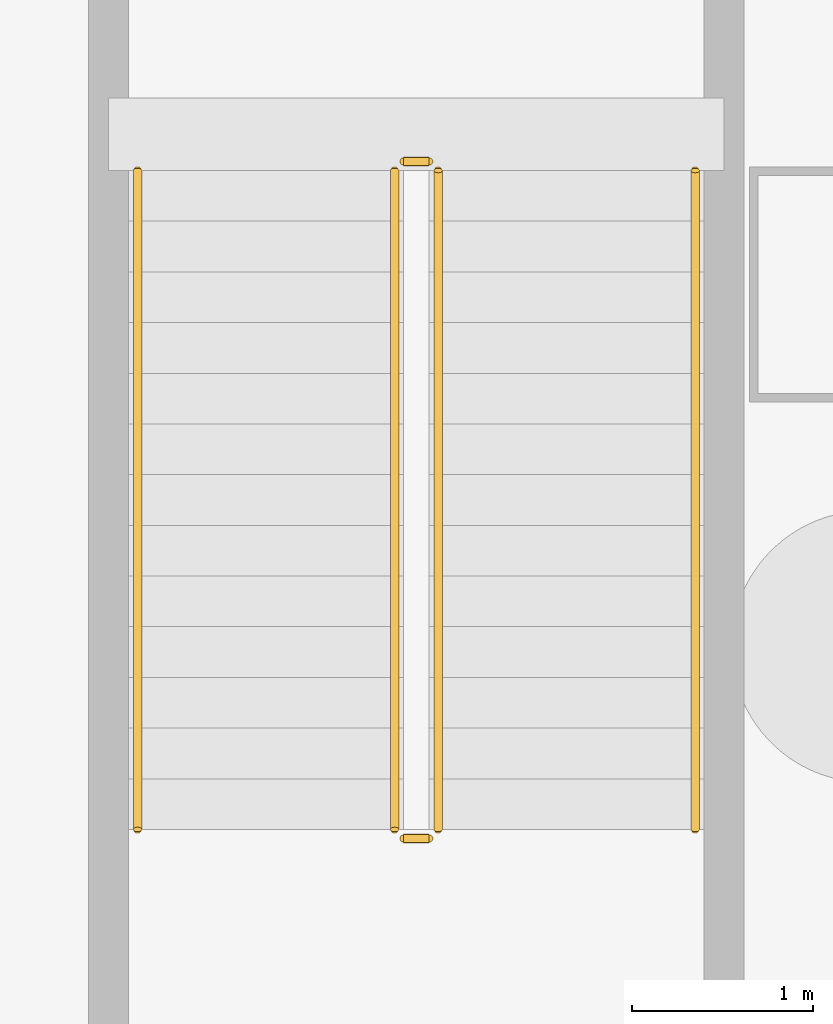
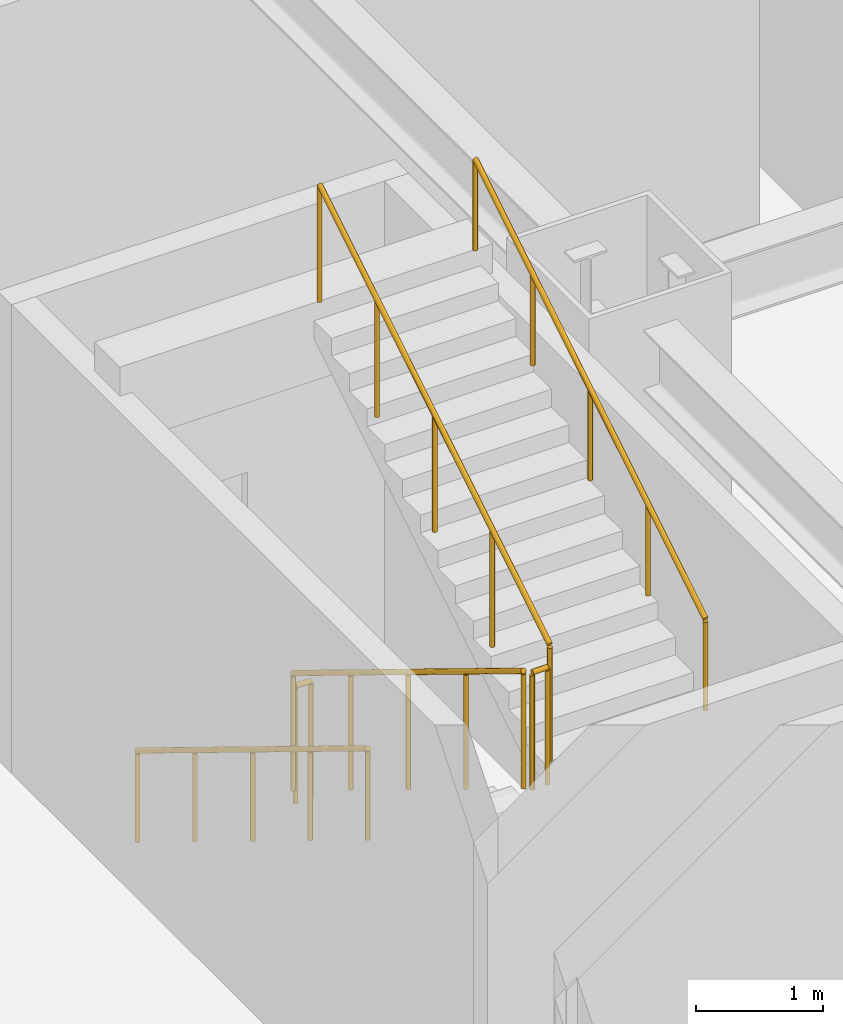
# One storey, part 14 of 15: 6 railings.
"""IFC4 building model written with IfcOpenShell, lengths in metres."""

import ifcopenshell
import ifcopenshell.guid

model = None  # the IFC model being written
_history = None  # IfcOwnerHistory: only IFC2X3 demands one
_inside = {}  # id of a spatial element -> (the spatial element, [elements in it])
_under = {}  # id of a project, library or spatial element -> (it, [spatial elements below it])
_declared = {}  # id of a project -> (the project, [libraries it declares])
_typed = {}  # id of a type object -> (the type object, [elements of that type])
_made_of = {}  # id of a material, layer set ... -> (it, [elements and type objects made of it])


def new_model(schema):
    """Start an empty IFC model of exactly this schema.

    Asked for "IFC4X3", IfcOpenShell would pick the latest addendum, in which some entities
    have other attributes; the version numbers below select the first issue.
    IFC2X3 requires an IfcOwnerHistory on every rooted entity: one is made here for all.
    """
    global model, _history
    if schema == "IFC4X3":
        model = ifcopenshell.file(schema_version=(4, 3, 0, 0))
    else:
        model = ifcopenshell.file(schema=schema)
    _inside.clear()
    _under.clear()
    _declared.clear()
    _typed.clear()
    _made_of.clear()
    _history = None
    if model.schema == "IFC2X3":
        org = make("IfcOrganization", Name="unknown")
        user = make(
            "IfcPersonAndOrganization",
            ThePerson=make("IfcPerson", FamilyName="unknown"),
            TheOrganization=org,
        )
        app = make(
            "IfcApplication",
            ApplicationDeveloper=org,
            Version="unknown",
            ApplicationFullName="unknown",
            ApplicationIdentifier="unknown",
        )
        _history = make(
            "IfcOwnerHistory",
            OwningUser=user,
            OwningApplication=app,
            ChangeAction="ADDED",
            CreationDate=0,
        )
    return model


def make(cls, **values):
    """One entity of the class cls with the attributes given. An attribute that is None is left unset."""
    return model.create_entity(
        cls, **{name: value for name, value in values.items() if value is not None}
    )


def rooted(cls, **values):
    """An entity with a GlobalId (a new one), such as an element, a storey or a relation."""
    return make(cls, GlobalId=ifcopenshell.guid.new(), OwnerHistory=_history, **values)


def si_unit(unit_type, name, prefix=None):
    """IfcSIUnit, for example si_unit("LENGTHUNIT", "METRE", prefix="MILLI")."""
    return make("IfcSIUnit", UnitType=unit_type, Prefix=prefix, Name=name)


def assignment(units):
    """IfcUnitAssignment: the units of a project."""
    return None if units is None else make("IfcUnitAssignment", Units=units)


def point(xyz):
    """IfcCartesianPoint."""
    return None if xyz is None else make("IfcCartesianPoint", Coordinates=xyz)


def direction(xyz):
    """IfcDirection."""
    return None if xyz is None else make("IfcDirection", DirectionRatios=xyz)


def frame(location, z_axis=None, x_axis=None):
    """IfcAxis2Placement3D, a coordinate frame: its origin and axes. An axis left out is left unset."""
    return make(
        "IfcAxis2Placement3D",
        Location=point(location),
        Axis=direction(z_axis),
        RefDirection=direction(x_axis),
    )


def frame_2d(location, x_axis=None):
    """IfcAxis2Placement2D, a coordinate frame in the plane: its origin and x axis."""
    return make(
        "IfcAxis2Placement2D", Location=point(location), RefDirection=direction(x_axis)
    )


def origin():
    """The frame at (0, 0, 0) with its axes left unset."""
    return frame((0.0, 0.0, 0.0))


def origin_2d():
    """The frame at (0, 0) in the plane with its x axis left unset."""
    return frame_2d((0.0, 0.0))


def place(relative_to, where):
    """IfcLocalPlacement: puts the frame where relative to a parent placement (None: the world)."""
    return make(
        "IfcLocalPlacement", PlacementRelTo=relative_to, RelativePlacement=where
    )


def context(
    kind, dimensions, precision=None, world=None, true_north=None, identifier=None
):
    """IfcGeometricRepresentationContext, for example the 3D "Model" context."""
    return make(
        "IfcGeometricRepresentationContext",
        ContextIdentifier=identifier,
        ContextType=kind,
        CoordinateSpaceDimension=dimensions,
        Precision=precision,
        WorldCoordinateSystem=world,
        TrueNorth=true_north,
    )


def subcontext(parent, identifier, kind, view, scale=None):
    """IfcGeometricRepresentationSubContext, for example "Body" below "Model"."""
    return make(
        "IfcGeometricRepresentationSubContext",
        ContextIdentifier=identifier,
        ContextType=kind,
        ParentContext=parent,
        TargetScale=scale,
        TargetView=view,
    )


def project(units=None, contexts=None):
    """IfcProject with its units and contexts."""
    return rooted(
        "IfcProject",
        Name="project",
        RepresentationContexts=contexts,
        UnitsInContext=assignment(units),
    )


def spatial(cls, under=None, at=None, **own):
    """A site, building, storey or space (cls), placed at a placement, below another one or the project."""
    s = rooted(cls, ObjectPlacement=at, **own)
    if under is not None:
        _under.setdefault(under.id(), (under, []))[1].append(s)
    return s


def profile(cls, at=None, kind="AREA", **sizes):
    """A parametric profile (cls). Its sizes go by their IFC names, for example OverallWidth=200.0."""
    return make(cls, ProfileType=kind, Position=at, **sizes)


def circle(**sizes):
    """IfcCircleProfileDef."""
    return profile("IfcCircleProfileDef", **sizes)


def extrude(swept, where, along, depth):
    """IfcExtrudedAreaSolid: the profile swept, set in the frame where, extruded along a direction by depth."""
    return make(
        "IfcExtrudedAreaSolid",
        SweptArea=swept,
        Position=where,
        ExtrudedDirection=direction(along),
        Depth=depth,
    )


def shape(context_of_items, identifier, shape_type, items):
    """IfcShapeRepresentation: the items that make up one representation, for example the "Body"."""
    return make(
        "IfcShapeRepresentation",
        ContextOfItems=context_of_items,
        RepresentationIdentifier=identifier,
        RepresentationType=shape_type,
        Items=items,
    )


def material(Name=None, Category=None):
    """IfcMaterial."""
    return make("IfcMaterial", Name=Name, Category=Category)


def made_of(thing, what):
    """Note that an element or type object is made of a material, layer set ...; save() writes the relation."""
    if what is not None:
        _made_of.setdefault(what.id(), (what, []))[1].append(thing)
    return thing


def type_object(cls, material=None, **own):
    """A type object (cls), such as IfcWallType, which elements share."""
    return made_of(rooted(cls, **own), material)


def element(
    cls,
    number,
    at=None,
    inside=None,
    cuts=None,
    type_object=None,
    material=None,
    context=None,
    identifier="Body",
    shape_type=None,
    held_by="IfcProductDefinitionShape",
    body=None,
    shapes=None,
    **own,
):
    """One element of the class cls, such as IfcWall. Its Tag is "e" and its number.

    at: its placement. inside: the storey or other place that contains it. cuts: it is an
    opening in that element (IfcRelVoidsElement). A single representation is given by context,
    identifier, shape_type and body (its items); several are given by shapes. held_by: the class
    of the entity that holds the representations. save() writes the other relations.
    """
    e = rooted(cls, Tag="e%d" % number, ObjectPlacement=at, **own)
    if body is not None:
        shapes = [shape(context, identifier, shape_type, body)]
    if shapes is not None:
        e.Representation = make(held_by, Representations=shapes)
    if inside is not None:
        _inside.setdefault(inside.id(), (inside, []))[1].append(e)
    if cuts is not None:
        rooted(
            "IfcRelVoidsElement", RelatingBuildingElement=cuts, RelatedOpeningElement=e
        )
    if type_object is not None:
        _typed.setdefault(type_object.id(), (type_object, []))[1].append(e)
    return made_of(e, material)


def aggregate(whole, parts):
    """IfcRelAggregates: a whole, such as a stair, and the parts it consists of."""
    return rooted("IfcRelAggregates", RelatingObject=whole, RelatedObjects=parts)


def save(model, path):
    """Write the relations noted so far, then the file.

    IfcRelAggregates (storeys below a building ...), IfcRelContainedInSpatialStructure (elements
    in a storey), IfcRelDefinesByType, IfcRelAssociatesMaterial and IfcRelDeclares: one each for
    every whole, place, type object, material and project.
    """
    for whole, parts in _under.values():
        aggregate(whole, parts)
    for where, things in _inside.values():
        rooted(
            "IfcRelContainedInSpatialStructure",
            RelatedElements=things,
            RelatingStructure=where,
        )
    for kind, things in _typed.values():
        rooted("IfcRelDefinesByType", RelatedObjects=things, RelatingType=kind)
    for what, things in _made_of.values():
        rooted("IfcRelAssociatesMaterial", RelatedObjects=things, RelatingMaterial=what)
    for by, libraries in _declared.values():
        rooted("IfcRelDeclares", RelatingContext=by, RelatedDefinitions=libraries)
    model.write(path)


model = new_model("IFC4")

# Units and contexts
model_context = context("Model", 3, precision=1e-05, world=origin(), true_north=direction((0.0, 1.0)))
body_context = subcontext(model_context, "Body", "Model", "MODEL_VIEW")
ifc_project = project(units=[si_unit("LENGTHUNIT", "METRE"), si_unit("AREAUNIT", "SQUARE_METRE"), si_unit("VOLUMEUNIT", "CUBIC_METRE"), si_unit("PLANEANGLEUNIT", "RADIAN"), si_unit("MASSUNIT", "GRAM", prefix="KILO")], contexts=[model_context])

# Site, building, storey
site_placement = place(None, origin())
site = spatial("IfcSite", under=ifc_project, at=site_placement, CompositionType="ELEMENT")
building_placement = place(site_placement, origin())
building = spatial("IfcBuilding", under=site, at=building_placement, Name="Haolan Belvedere Tower", CompositionType="ELEMENT")
storey_placement = place(building_placement, frame((0.0, 0.0, -9.60009765625)))
storey = spatial("IfcBuildingStorey", under=building, at=storey_placement, Name="B2", CompositionType="ELEMENT", Elevation=-9.60009765625)

# Railings
ifc_material = material(Name="Brushed stainless steel 304", Category="steel")
railing_type_1 = type_object("IfcRailingType", Name="RL-STAIR-GRD-1150", PredefinedType="GUARDRAIL", material=ifc_material)
railing_1_placement = place(storey_placement, frame((61.590087890625, 28.22998046875, 0.171630859375)))
element("IfcRailing", 1, at=railing_1_placement, inside=storey, type_object=railing_type_1, Name="B2 ST5 stair guard 1", PredefinedType="GUARDRAIL", context=body_context, shape_type="SweptSolid", body=[
    extrude(circle(Radius=0.02392578125, at=origin_2d()), frame((0.0, 0.0, 1.1259765625), z_axis=(0.0, -0.852850264322, 0.5221555579), x_axis=(1.0, 0.0, 0.0)), (0.0, 0.0, 1.0), 4.267822265625),
    extrude(circle(Radius=0.02099609375, at=origin_2d()), origin(), (0.0, 0.0, 1.0), 1.101806640625),
    extrude(circle(Radius=0.02099609375, at=origin_2d()), frame((0.0, -0.909912109375, 0.55712890625)), (0.0, 0.0, 1.0), 1.101806640625),
    extrude(circle(Radius=0.02099609375, at=origin_2d()), frame((0.0, -1.81982421875, 1.1142578125)), (0.0, 0.0, 1.0), 1.101806640625),
    extrude(circle(Radius=0.02099609375, at=origin_2d()), frame((0.0, -2.72998046875, 1.67138671875)), (0.0, 0.0, 1.0), 1.101806640625),
    extrude(circle(Radius=0.02099609375, at=origin_2d()), frame((0.0, -3.639892578125, 2.228515625)), (0.0, 0.0, 1.0), 1.101806640625),
])
railing_2_placement = place(storey_placement, frame((61.639892578125, 24.5400390625, 2.400146484375)))
element("IfcRailing", 2, at=railing_2_placement, inside=storey, type_object=railing_type_1, Name="B2 ST5 stair guard 2", PredefinedType="GUARDRAIL", context=body_context, shape_type="SweptSolid", body=[
    extrude(circle(Radius=0.02392578125, at=origin_2d()), frame((0.0, 0.0, 1.1259765625), z_axis=(1.0, 0.0, 0.0), x_axis=(0.0, 1.0, 0.0)), (0.0, 0.0, 1.0), 0.14013671875),
    extrude(circle(Radius=0.02099609375, at=origin_2d()), origin(), (0.0, 0.0, 1.0), 1.101806640625),
    extrude(circle(Radius=0.02099609375, at=origin_2d()), frame((0.14013671875, 0.0, 0.0)), (0.0, 0.0, 1.0), 1.101806640625),
])
railing_3_placement = place(storey_placement, frame((61.830078125, 24.590087890625, 2.571533203125)))
element("IfcRailing", 3, at=railing_3_placement, inside=storey, type_object=railing_type_1, Name="B2 ST5 stair guard 3", PredefinedType="GUARDRAIL", context=body_context, shape_type="SweptSolid", body=[
    extrude(circle(Radius=0.02392578125, at=origin_2d()), frame((0.0, 0.0, 1.1259765625), z_axis=(0.0, 0.852850264322, 0.5221555579), x_axis=(-1.0, 0.0, 0.0)), (0.0, 0.0, 1.0), 4.267822265625),
    extrude(circle(Radius=0.02099609375, at=origin_2d()), origin(), (0.0, 0.0, 1.0), 1.101806640625),
    extrude(circle(Radius=0.02099609375, at=origin_2d()), frame((0.0, 0.909912109375, 0.55712890625)), (0.0, 0.0, 1.0), 1.101806640625),
    extrude(circle(Radius=0.02099609375, at=origin_2d()), frame((0.0, 1.81982421875, 1.1142578125)), (0.0, 0.0, 1.0), 1.101806640625),
    extrude(circle(Radius=0.02099609375, at=origin_2d()), frame((0.0, 2.72998046875, 1.67138671875)), (0.0, 0.0, 1.0), 1.101806640625),
    extrude(circle(Radius=0.02099609375, at=origin_2d()), frame((0.0, 3.639892578125, 2.228515625)), (0.0, 0.0, 1.0), 1.101806640625),
])
railing_4_placement = place(storey_placement, frame((61.639892578125, 28.280029296875, 0.0)))
element("IfcRailing", 4, at=railing_4_placement, inside=storey, type_object=railing_type_1, Name="B2 ST5 stair guard 4", PredefinedType="GUARDRAIL", context=body_context, shape_type="SweptSolid", body=[
    extrude(circle(Radius=0.02392578125, at=origin_2d()), frame((0.0, 0.0, 1.1259765625), z_axis=(1.0, 0.0, 0.0), x_axis=(0.0, 1.0, 0.0)), (0.0, 0.0, 1.0), 0.14013671875),
    extrude(circle(Radius=0.02099609375, at=origin_2d()), origin(), (0.0, 0.0, 1.0), 1.101806640625),
    extrude(circle(Radius=0.02099609375, at=origin_2d()), frame((0.14013671875, 0.0, 0.0)), (0.0, 0.0, 1.0), 1.101806640625),
])
railing_type_2 = type_object("IfcRailingType", Name="RL-STAIR-HND-900", PredefinedType="HANDRAIL", material=ifc_material)
railing_5_placement = place(storey_placement, frame((60.169921875, 28.22998046875, 0.171630859375)))
element("IfcRailing", 5, at=railing_5_placement, inside=storey, type_object=railing_type_2, Name="B2 ST5 stair handrail 1", PredefinedType="HANDRAIL", context=body_context, shape_type="SweptSolid", body=[
    extrude(circle(Radius=0.02392578125, at=origin_2d()), frame((0.0, 0.0, 0.8759765625), z_axis=(0.0, -0.852850264322, 0.5221555579), x_axis=(1.0, 0.0, 0.0)), (0.0, 0.0, 1.0), 4.267822265625),
    extrude(circle(Radius=0.02099609375, at=origin_2d()), origin(), (0.0, 0.0, 1.0), 0.851806640625),
    extrude(circle(Radius=0.02099609375, at=origin_2d()), frame((0.0, -0.909912109375, 0.55712890625)), (0.0, 0.0, 1.0), 0.851806640625),
    extrude(circle(Radius=0.02099609375, at=origin_2d()), frame((0.0, -1.81982421875, 1.1142578125)), (0.0, 0.0, 1.0), 0.851806640625),
    extrude(circle(Radius=0.02099609375, at=origin_2d()), frame((0.0, -2.72998046875, 1.67138671875)), (0.0, 0.0, 1.0), 0.851806640625),
    extrude(circle(Radius=0.02099609375, at=origin_2d()), frame((0.0, -3.639892578125, 2.228515625)), (0.0, 0.0, 1.0), 0.851806640625),
])
railing_6_placement = place(storey_placement, frame((63.25, 24.590087890625, 2.571533203125)))
element("IfcRailing", 6, at=railing_6_placement, inside=storey, type_object=railing_type_2, Name="B2 ST5 stair handrail 2", PredefinedType="HANDRAIL", context=body_context, shape_type="SweptSolid", body=[
    extrude(circle(Radius=0.02392578125, at=origin_2d()), frame((0.0, 0.0, 0.8759765625), z_axis=(0.0, 0.852850264322, 0.5221555579), x_axis=(-1.0, 0.0, 0.0)), (0.0, 0.0, 1.0), 4.267822265625),
    extrude(circle(Radius=0.02099609375, at=origin_2d()), origin(), (0.0, 0.0, 1.0), 0.851806640625),
    extrude(circle(Radius=0.02099609375, at=origin_2d()), frame((0.0, 0.909912109375, 0.55712890625)), (0.0, 0.0, 1.0), 0.851806640625),
    extrude(circle(Radius=0.02099609375, at=origin_2d()), frame((0.0, 1.81982421875, 1.1142578125)), (0.0, 0.0, 1.0), 0.851806640625),
    extrude(circle(Radius=0.02099609375, at=origin_2d()), frame((0.0, 2.72998046875, 1.67138671875)), (0.0, 0.0, 1.0), 0.851806640625),
    extrude(circle(Radius=0.02099609375, at=origin_2d()), frame((0.0, 3.639892578125, 2.228515625)), (0.0, 0.0, 1.0), 0.851806640625),
])

save(model, "model.ifc")
